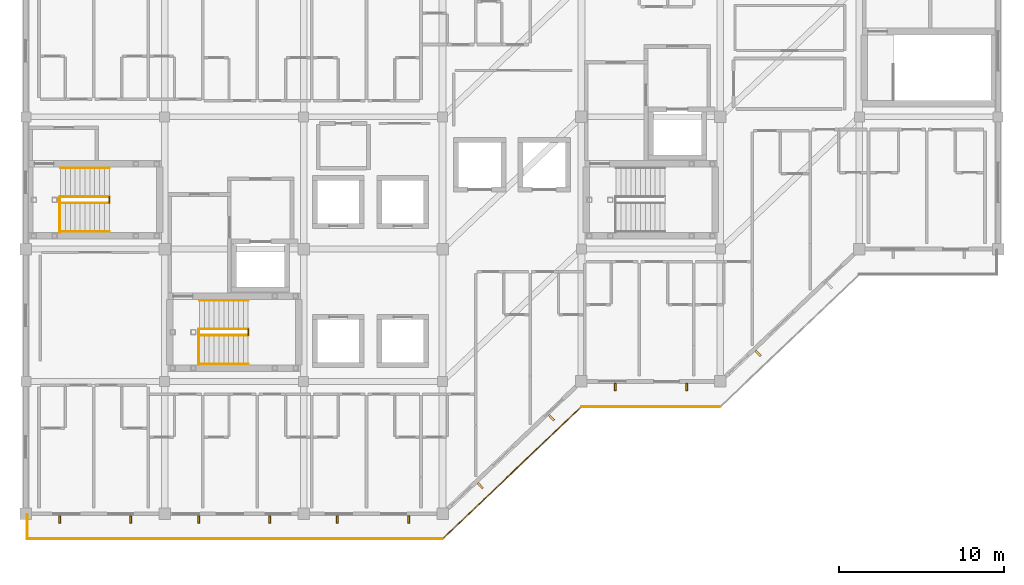
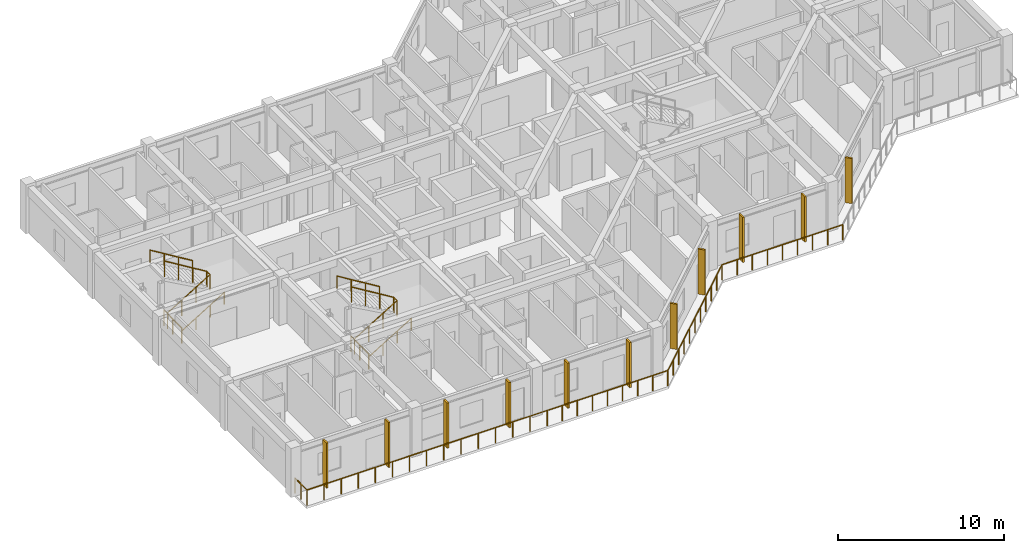
# One storey, part 14 of 15: 18 railings, 11 shading devices.
"""IFC4 building model written with IfcOpenShell, lengths in metres."""

from ifc_helpers import new_model, si_unit, direction, frame, origin, origin_2d, place, context, subcontext, project, spatial, rectangle, circle, extrude, material, layer, layer_set, type_object, element, save


model = new_model("IFC4")

# Units and contexts
model_context = context("Model", 3, precision=1e-05, world=origin(), true_north=direction((0.0, 1.0)))
body_context = subcontext(model_context, "Body", "Model", "MODEL_VIEW")
ifc_project = project(units=[si_unit("LENGTHUNIT", "METRE"), si_unit("AREAUNIT", "SQUARE_METRE"), si_unit("VOLUMEUNIT", "CUBIC_METRE"), si_unit("PLANEANGLEUNIT", "RADIAN"), si_unit("MASSUNIT", "GRAM", prefix="KILO")], contexts=[model_context])

# Site, building, storey
site_placement = place(None, origin())
site = spatial("IfcSite", under=ifc_project, at=site_placement, CompositionType="ELEMENT")
building_placement = place(site_placement, origin())
building = spatial("IfcBuilding", under=site, at=building_placement, Name="Naruveol Harbour Congress Hotel", CompositionType="ELEMENT")
storey_placement = place(building_placement, frame((0.0, 0.0, 32.39990234375)))
storey = spatial("IfcBuildingStorey", under=building, at=storey_placement, Name="L07", CompositionType="ELEMENT", Elevation=32.39990234375)

# Railings
ifc_material_1 = material(Name="Tempered Laminated Safety Glass & Stainless Steel", Category="steel")
ifc_layer_1 = layer(ifc_material_1, 0.06005859375)
ifc_layer_set_1 = layer_set([ifc_layer_1], Name="Tempered Laminated Safety Glass & Stainless Steel")
railing_type_1 = type_object("IfcRailingType", Name="LAMINATED GLASS TERRACE BALUSTRADE 1150", PredefinedType="BALUSTRADE", material=ifc_layer_set_1)
railing_1_placement = place(storey_placement, frame((117.679931640625, -0.06005859375, 0.0)))
element("IfcRailing", 1, at=railing_1_placement, inside=storey, type_object=railing_type_1, Name="L07 Harbour balcony balustrade #100", PredefinedType="BALUSTRADE", context=body_context, shape_type="SweptSolid", body=[
    extrude(circle(Radius=0.02392578125, at=origin_2d()), frame((0.0, 0.0, 1.1259765625), z_axis=(0.0, -1.0, 0.0), x_axis=(1.0, 0.0, 0.0)), (0.0, 0.0, 1.0), 1.4599609375),
    extrude(circle(Radius=0.02099609375, at=origin_2d()), origin(), (0.0, 0.0, 1.0), 1.101806640625),
    extrude(circle(Radius=0.02099609375, at=origin_2d()), frame((0.0, -0.72998046875, 0.0)), (0.0, 0.0, 1.0), 1.101806640625),
    extrude(circle(Radius=0.02099609375, at=origin_2d()), frame((0.0, -1.4599609375, 0.0)), (0.0, 0.0, 1.0), 1.101806640625),
])
railing_2_placement = place(storey_placement, frame((117.679931640625, -1.52001953125, 0.0)))
element("IfcRailing", 2, at=railing_2_placement, inside=storey, type_object=railing_type_1, Name="L07 Harbour balcony balustrade #101", PredefinedType="BALUSTRADE", context=body_context, shape_type="SweptSolid", body=[
    extrude(circle(Radius=0.02392578125, at=origin_2d()), frame((0.0, 0.0, 1.1259765625), z_axis=(1.0, 0.0, 0.0), x_axis=(0.0, 1.0, 0.0)), (0.0, 0.0, 1.0), 8.320068359375),
    extrude(circle(Radius=0.02099609375, at=origin_2d()), origin(), (0.0, 0.0, 1.0), 1.101806640625),
    extrude(circle(Radius=0.02099609375, at=origin_2d()), frame((1.1884765625, 0.0, 0.0)), (0.0, 0.0, 1.0), 1.101806640625),
    extrude(circle(Radius=0.02099609375, at=origin_2d()), frame((2.377197265625, 0.0, 0.0)), (0.0, 0.0, 1.0), 1.101806640625),
    extrude(circle(Radius=0.02099609375, at=origin_2d()), frame((3.565673828125, 0.0, 0.0)), (0.0, 0.0, 1.0), 1.101806640625),
    extrude(circle(Radius=0.02099609375, at=origin_2d()), frame((4.75439453125, 0.0, 0.0)), (0.0, 0.0, 1.0), 1.101806640625),
    extrude(circle(Radius=0.02099609375, at=origin_2d()), frame((5.94287109375, 0.0, 0.0)), (0.0, 0.0, 1.0), 1.101806640625),
    extrude(circle(Radius=0.02099609375, at=origin_2d()), frame((7.131591796875, 0.0, 0.0)), (0.0, 0.0, 1.0), 1.101806640625),
    extrude(circle(Radius=0.02099609375, at=origin_2d()), frame((8.320068359375, 0.0, 0.0)), (0.0, 0.0, 1.0), 1.101806640625),
])
railing_3_placement = place(storey_placement, frame((126.0, -1.52001953125, 0.0)))
element("IfcRailing", 3, at=railing_3_placement, inside=storey, type_object=railing_type_1, Name="L07 Harbour balcony balustrade #102", PredefinedType="BALUSTRADE", context=body_context, shape_type="SweptSolid", body=[
    extrude(circle(Radius=0.02392578125, at=origin_2d()), frame((0.0, 0.0, 1.1259765625), z_axis=(1.0, 0.0, 0.0), x_axis=(0.0, 1.0, 0.0)), (0.0, 0.0, 1.0), 8.39990234375),
    extrude(circle(Radius=0.02099609375, at=origin_2d()), origin(), (0.0, 0.0, 1.0), 1.101806640625),
    extrude(circle(Radius=0.02099609375, at=origin_2d()), frame((1.199951171875, 0.0, 0.0)), (0.0, 0.0, 1.0), 1.101806640625),
    extrude(circle(Radius=0.02099609375, at=origin_2d()), frame((2.39990234375, 0.0, 0.0)), (0.0, 0.0, 1.0), 1.101806640625),
    extrude(circle(Radius=0.02099609375, at=origin_2d()), frame((3.599853515625, 0.0, 0.0)), (0.0, 0.0, 1.0), 1.101806640625),
    extrude(circle(Radius=0.02099609375, at=origin_2d()), frame((4.800048828125, 0.0, 0.0)), (0.0, 0.0, 1.0), 1.101806640625),
    extrude(circle(Radius=0.02099609375, at=origin_2d()), frame((6.0, 0.0, 0.0)), (0.0, 0.0, 1.0), 1.101806640625),
    extrude(circle(Radius=0.02099609375, at=origin_2d()), frame((7.199951171875, 0.0, 0.0)), (0.0, 0.0, 1.0), 1.101806640625),
    extrude(circle(Radius=0.02099609375, at=origin_2d()), frame((8.39990234375, 0.0, 0.0)), (0.0, 0.0, 1.0), 1.101806640625),
])
railing_4_placement = place(storey_placement, frame((134.39990234375, -1.52001953125, 0.0)))
element("IfcRailing", 4, at=railing_4_placement, inside=storey, type_object=railing_type_1, Name="L07 Harbour balcony balustrade #103", PredefinedType="BALUSTRADE", context=body_context, shape_type="SweptSolid", body=[
    extrude(circle(Radius=0.02392578125, at=origin_2d()), frame((0.0, 0.0, 1.1259765625), z_axis=(1.0, 0.0, 0.0), x_axis=(0.0, 1.0, 0.0)), (0.0, 0.0, 1.0), 8.400146484375),
    extrude(circle(Radius=0.02099609375, at=origin_2d()), origin(), (0.0, 0.0, 1.0), 1.101806640625),
    extrude(circle(Radius=0.02099609375, at=origin_2d()), frame((1.050048828125, 0.0, 0.0)), (0.0, 0.0, 1.0), 1.101806640625),
    extrude(circle(Radius=0.02099609375, at=origin_2d()), frame((2.10009765625, 0.0, 0.0)), (0.0, 0.0, 1.0), 1.101806640625),
    extrude(circle(Radius=0.02099609375, at=origin_2d()), frame((3.150146484375, 0.0, 0.0)), (0.0, 0.0, 1.0), 1.101806640625),
    extrude(circle(Radius=0.02099609375, at=origin_2d()), frame((4.2001953125, 0.0, 0.0)), (0.0, 0.0, 1.0), 1.101806640625),
    extrude(circle(Radius=0.02099609375, at=origin_2d()), frame((5.25, 0.0, 0.0)), (0.0, 0.0, 1.0), 1.101806640625),
    extrude(circle(Radius=0.02099609375, at=origin_2d()), frame((6.300048828125, 0.0, 0.0)), (0.0, 0.0, 1.0), 1.101806640625),
    extrude(circle(Radius=0.02099609375, at=origin_2d()), frame((7.35009765625, 0.0, 0.0)), (0.0, 0.0, 1.0), 1.101806640625),
    extrude(circle(Radius=0.02099609375, at=origin_2d()), frame((8.400146484375, 0.0, 0.0)), (0.0, 0.0, 1.0), 1.101806640625),
])
railing_5_placement = place(storey_placement, frame((142.800048828125, -1.52001953125, 0.0)))
element("IfcRailing", 5, at=railing_5_placement, inside=storey, type_object=railing_type_1, Name="L07 Harbour balcony balustrade #104", PredefinedType="BALUSTRADE", context=body_context, shape_type="SweptSolid", body=[
    extrude(circle(Radius=0.02392578125, at=origin_2d()), frame((0.0, 0.0, 1.1259765625), z_axis=(0.724133926887, 0.689659376744, 0.0), x_axis=(-0.689659376744, 0.724133926887, 0.0)), (0.0, 0.0, 1.0), 11.599853515625),
    extrude(circle(Radius=0.02099609375, at=origin_2d()), origin(), (0.0, 0.0, 1.0), 1.101806640625),
    extrude(circle(Radius=0.02099609375, at=origin_2d()), frame((0.840087890625, 0.800048828125, 0.0)), (0.0, 0.0, 1.0), 1.101806640625),
    extrude(circle(Radius=0.02099609375, at=origin_2d()), frame((1.679931640625, 1.60009765625, 0.0)), (0.0, 0.0, 1.0), 1.101806640625),
    extrude(circle(Radius=0.02099609375, at=origin_2d()), frame((2.52001953125, 2.39990234375, 0.0)), (0.0, 0.0, 1.0), 1.101806640625),
    extrude(circle(Radius=0.02099609375, at=origin_2d()), frame((3.35986328125, 3.199951171875, 0.0)), (0.0, 0.0, 1.0), 1.101806640625),
    extrude(circle(Radius=0.02099609375, at=origin_2d()), frame((4.199951171875, 4.0, 0.0)), (0.0, 0.0, 1.0), 1.101806640625),
    extrude(circle(Radius=0.02099609375, at=origin_2d()), frame((5.0400390625, 4.800048828125, 0.0)), (0.0, 0.0, 1.0), 1.101806640625),
    extrude(circle(Radius=0.02099609375, at=origin_2d()), frame((5.8798828125, 5.60009765625, 0.0)), (0.0, 0.0, 1.0), 1.101806640625),
    extrude(circle(Radius=0.02099609375, at=origin_2d()), frame((6.719970703125, 6.39990234375, 0.0)), (0.0, 0.0, 1.0), 1.101806640625),
    extrude(circle(Radius=0.02099609375, at=origin_2d()), frame((7.559814453125, 7.199951171875, 0.0)), (0.0, 0.0, 1.0), 1.101806640625),
    extrude(circle(Radius=0.02099609375, at=origin_2d()), frame((8.39990234375, 8.0, 0.0)), (0.0, 0.0, 1.0), 1.101806640625),
])
railing_6_placement = place(storey_placement, frame((151.199951171875, 6.47998046875, 0.0)))
element("IfcRailing", 6, at=railing_6_placement, inside=storey, type_object=railing_type_1, Name="L07 Harbour balcony balustrade #105", PredefinedType="BALUSTRADE", context=body_context, shape_type="SweptSolid", body=[
    extrude(circle(Radius=0.02392578125, at=origin_2d()), frame((0.0, 0.0, 1.1259765625), z_axis=(1.0, 0.0, 0.0), x_axis=(0.0, 1.0, 0.0)), (0.0, 0.0, 1.0), 8.400146484375),
    extrude(circle(Radius=0.02099609375, at=origin_2d()), origin(), (0.0, 0.0, 1.0), 1.101806640625),
    extrude(circle(Radius=0.02099609375, at=origin_2d()), frame((1.050048828125, 0.0, 0.0)), (0.0, 0.0, 1.0), 1.101806640625),
    extrude(circle(Radius=0.02099609375, at=origin_2d()), frame((2.10009765625, 0.0, 0.0)), (0.0, 0.0, 1.0), 1.101806640625),
    extrude(circle(Radius=0.02099609375, at=origin_2d()), frame((3.150146484375, 0.0, 0.0)), (0.0, 0.0, 1.0), 1.101806640625),
    extrude(circle(Radius=0.02099609375, at=origin_2d()), frame((4.2001953125, 0.0, 0.0)), (0.0, 0.0, 1.0), 1.101806640625),
    extrude(circle(Radius=0.02099609375, at=origin_2d()), frame((5.25, 0.0, 0.0)), (0.0, 0.0, 1.0), 1.101806640625),
    extrude(circle(Radius=0.02099609375, at=origin_2d()), frame((6.300048828125, 0.0, 0.0)), (0.0, 0.0, 1.0), 1.101806640625),
    extrude(circle(Radius=0.02099609375, at=origin_2d()), frame((7.35009765625, 0.0, 0.0)), (0.0, 0.0, 1.0), 1.101806640625),
    extrude(circle(Radius=0.02099609375, at=origin_2d()), frame((8.400146484375, 0.0, 0.0)), (0.0, 0.0, 1.0), 1.101806640625),
])

# Shading devices
ifc_material_2 = material(Name="Precast concrete C40/50", Category="concrete")
shading_device_type = type_object("IfcShadingDeviceType", Name="PRECAST VERTICAL BRISE SOLEIL FIN 120X450", PredefinedType="JALOUSIE", material=ifc_material_2)
for number, where, z_axis, x_axis, name in (
    (7, (123.9560546875, -0.340087890625, 0.0), (0.0, 0.0, 1.0), (-1.0, 0.0, 0.0), "Precast brise-soleil fin BS-V450 #62"),
    (8, (119.64404296875, -0.340087890625, 0.0), (0.0, 0.0, 1.0), (-1.0, 0.0, 0.0), "Precast brise-soleil fin BS-V450 #63"),
    (9, (132.35595703125, -0.340087890625, 0.0), (0.0, 0.0, 1.0), (-1.0, 0.0, 0.0), "Precast brise-soleil fin BS-V450 #64"),
    (10, (128.0439453125, -0.340087890625, 0.0), (0.0, 0.0, 1.0), (-1.0, 0.0, 0.0), "Precast brise-soleil fin BS-V450 #65"),
    (11, (140.756103515625, -0.340087890625, 0.0), (0.0, 0.0, 1.0), (-1.0, 0.0, 0.0), "Precast brise-soleil fin BS-V450 #66"),
    (12, (136.444091796875, -0.340087890625, 0.0), (0.0, 0.0, 1.0), (-1.0, 0.0, 0.0), "Precast brise-soleil fin BS-V450 #67"),
    (13, (149.389892578125, 5.806884765625, 0.0), (0.0, 0.0, 1.0), (-0.724171861437, -0.689619543736, 0.0), "Precast brise-soleil fin BS-V450 #68"),
    (14, (145.077880859375, 1.700927734375, 0.0), (0.0, 0.0, 1.0), (-0.724171861437, -0.689619543736, 0.0), "Precast brise-soleil fin BS-V450 #69"),
    (15, (157.555908203125, 7.659912109375, 0.0), (0.0, 0.0, 1.0), (-1.0, 0.0, 0.0), "Precast brise-soleil fin BS-V450 #70"),
    (16, (153.243896484375, 7.659912109375, 0.0), (0.0, 0.0, 1.0), (-1.0, 0.0, 0.0), "Precast brise-soleil fin BS-V450 #71"),
    (17, (161.8779296875, 9.700927734375, 0.0), (0.0, 0.0, 1.0), (-0.724171861437, -0.689619543736, 0.0), "Precast brise-soleil fin BS-V450 #73"),
):
    element("IfcShadingDevice", number, at=place(storey_placement, frame(where, z_axis=z_axis, x_axis=x_axis)), inside=storey, type_object=shading_device_type, Name=name, PredefinedType="JALOUSIE", context=body_context, shape_type="SweptSolid", body=[
        extrude(rectangle(XDim=0.1201171875, YDim=0.449951171875, at=origin_2d()), origin(), (0.0, 0.0, 1.0), 3.320068359375),
    ])

# Railings
ifc_material_3 = material(Name="Stainless Steel 304", Category="steel")
ifc_layer_2 = layer(ifc_material_3, 0.0419921875)
ifc_layer_set_2 = layer_set([ifc_layer_2], Name="Stainless Steel 304")
railing_type_2 = type_object("IfcRailingType", Name="STAIR WALL MOUNTED HANDRAIL 900", PredefinedType="HANDRAIL", material=ifc_layer_set_2)
railing_7_placement = place(storey_placement, frame((128.10009765625, 9.06005859375, 0.0)))
element("IfcRailing", 18, at=railing_7_placement, inside=storey, type_object=railing_type_2, Name="Stair ST1 L07 lower wall handrail", PredefinedType="HANDRAIL", context=body_context, shape_type="SweptSolid", body=[
    extrude(circle(Radius=0.02392578125, at=origin_2d()), frame((0.0, 0.0, 0.8759765625), z_axis=(0.85362916449, 0.0, 0.520881224016), x_axis=(0.0, 1.0, 0.0)), (0.0, 0.0, 1.0), 3.455810546875),
    extrude(circle(Radius=0.02099609375, at=origin_2d()), origin(), (0.0, 0.0, 1.0), 0.851806640625),
    extrude(circle(Radius=0.02099609375, at=origin_2d()), frame((0.9833984375, 0.0, 0.60009765625)), (0.0, 0.0, 1.0), 0.851806640625),
    extrude(circle(Radius=0.02099609375, at=origin_2d()), frame((1.966552734375, 0.0, 1.199951171875)), (0.0, 0.0, 1.0), 0.851806640625),
    extrude(circle(Radius=0.02099609375, at=origin_2d()), frame((2.949951171875, 0.0, 1.800048828125)), (0.0, 0.0, 1.0), 0.851806640625),
])
railing_8_placement = place(storey_placement, frame((131.050048828125, 12.89990234375, 1.800048828125)))
element("IfcRailing", 19, at=railing_8_placement, inside=storey, type_object=railing_type_2, Name="Stair ST1 L07 upper wall handrail", PredefinedType="HANDRAIL", context=body_context, shape_type="SweptSolid", body=[
    extrude(circle(Radius=0.02392578125, at=origin_2d()), frame((0.0, 0.0, 0.8759765625), z_axis=(-0.85362916449, 0.0, 0.520881224016), x_axis=(0.0, -1.0, 0.0)), (0.0, 0.0, 1.0), 3.455810546875),
    extrude(circle(Radius=0.02099609375, at=origin_2d()), origin(), (0.0, 0.0, 1.0), 0.851806640625),
    extrude(circle(Radius=0.02099609375, at=origin_2d()), frame((-0.9833984375, 0.0, 0.60009765625)), (0.0, 0.0, 1.0), 0.851806640625),
    extrude(circle(Radius=0.02099609375, at=origin_2d()), frame((-1.966552734375, 0.0, 1.199951171875)), (0.0, 0.0, 1.0), 0.851806640625),
    extrude(circle(Radius=0.02099609375, at=origin_2d()), frame((-2.949951171875, 0.0, 1.800048828125)), (0.0, 0.0, 1.0), 0.851806640625),
])
railing_9_placement = place(storey_placement, frame((119.699951171875, 17.06005859375, 0.0)))
element("IfcRailing", 20, at=railing_9_placement, inside=storey, type_object=railing_type_2, Name="Stair ST3 L07 lower wall handrail", PredefinedType="HANDRAIL", context=body_context, shape_type="SweptSolid", body=[
    extrude(circle(Radius=0.02392578125, at=origin_2d()), frame((0.0, 0.0, 0.8759765625), z_axis=(0.85362916449, 0.0, 0.520881224016), x_axis=(0.0, 1.0, 0.0)), (0.0, 0.0, 1.0), 3.455810546875),
    extrude(circle(Radius=0.02099609375, at=origin_2d()), origin(), (0.0, 0.0, 1.0), 0.851806640625),
    extrude(circle(Radius=0.02099609375, at=origin_2d()), frame((0.9833984375, 0.0, 0.60009765625)), (0.0, 0.0, 1.0), 0.851806640625),
    extrude(circle(Radius=0.02099609375, at=origin_2d()), frame((1.966552734375, 0.0, 1.199951171875)), (0.0, 0.0, 1.0), 0.851806640625),
    extrude(circle(Radius=0.02099609375, at=origin_2d()), frame((2.949951171875, 0.0, 1.800048828125)), (0.0, 0.0, 1.0), 0.851806640625),
])
railing_10_placement = place(storey_placement, frame((122.64990234375, 20.89990234375, 1.800048828125)))
element("IfcRailing", 21, at=railing_10_placement, inside=storey, type_object=railing_type_2, Name="Stair ST3 L07 upper wall handrail", PredefinedType="HANDRAIL", context=body_context, shape_type="SweptSolid", body=[
    extrude(circle(Radius=0.02392578125, at=origin_2d()), frame((0.0, 0.0, 0.8759765625), z_axis=(-0.85362916449, 0.0, 0.520881224016), x_axis=(0.0, -1.0, 0.0)), (0.0, 0.0, 1.0), 3.455810546875),
    extrude(circle(Radius=0.02099609375, at=origin_2d()), origin(), (0.0, 0.0, 1.0), 0.851806640625),
    extrude(circle(Radius=0.02099609375, at=origin_2d()), frame((-0.9833984375, 0.0, 0.60009765625)), (0.0, 0.0, 1.0), 0.851806640625),
    extrude(circle(Radius=0.02099609375, at=origin_2d()), frame((-1.966552734375, 0.0, 1.199951171875)), (0.0, 0.0, 1.0), 0.851806640625),
    extrude(circle(Radius=0.02099609375, at=origin_2d()), frame((-2.949951171875, 0.0, 1.800048828125)), (0.0, 0.0, 1.0), 0.851806640625),
])
ifc_material_4 = material(Name="Steel SN490", Category="steel")
ifc_layer_3 = layer(ifc_material_4, 0.044921875)
ifc_layer_set_3 = layer_set([ifc_layer_3], Name="Steel SN490")
railing_type_3 = type_object("IfcRailingType", Name="STAIRWELL STEEL GUARDRAIL 1150", PredefinedType="GUARDRAIL", material=ifc_layer_set_3)
railing_11_placement = place(storey_placement, frame((128.10009765625, 10.7900390625, 0.0)))
element("IfcRailing", 22, at=railing_11_placement, inside=storey, type_object=railing_type_3, Name="Stair ST1 L07 lower well guard", PredefinedType="GUARDRAIL", context=body_context, shape_type="SweptSolid", body=[
    extrude(circle(Radius=0.02392578125, at=origin_2d()), frame((0.0, 0.0, 1.1259765625), z_axis=(0.85362916449, 0.0, 0.520881224016), x_axis=(0.0, 1.0, 0.0)), (0.0, 0.0, 1.0), 3.455810546875),
    extrude(circle(Radius=0.02099609375, at=origin_2d()), origin(), (0.0, 0.0, 1.0), 1.101806640625),
    extrude(circle(Radius=0.02099609375, at=origin_2d()), frame((0.9833984375, 0.0, 0.60009765625)), (0.0, 0.0, 1.0), 1.101806640625),
    extrude(circle(Radius=0.02099609375, at=origin_2d()), frame((1.966552734375, 0.0, 1.199951171875)), (0.0, 0.0, 1.0), 1.101806640625),
    extrude(circle(Radius=0.02099609375, at=origin_2d()), frame((2.949951171875, 0.0, 1.800048828125)), (0.0, 0.0, 1.0), 1.101806640625),
])
railing_12_placement = place(storey_placement, frame((131.050048828125, 10.7900390625, 1.800048828125)))
element("IfcRailing", 23, at=railing_12_placement, inside=storey, type_object=railing_type_3, Name="Stair ST1 L07 half-landing slot guard", PredefinedType="GUARDRAIL", context=body_context, shape_type="SweptSolid", body=[
    extrude(circle(Radius=0.02392578125, at=origin_2d()), frame((0.0, 0.0, 1.1259765625), z_axis=(0.0, 1.0, 0.0), x_axis=(-1.0, 0.0, 0.0)), (0.0, 0.0, 1.0), 0.3798828125),
    extrude(circle(Radius=0.02099609375, at=origin_2d()), origin(), (0.0, 0.0, 1.0), 1.101806640625),
    extrude(circle(Radius=0.02099609375, at=origin_2d()), frame((0.0, 0.3798828125, 0.0)), (0.0, 0.0, 1.0), 1.101806640625),
])
railing_13_placement = place(storey_placement, frame((131.050048828125, 11.169921875, 1.800048828125)))
element("IfcRailing", 24, at=railing_13_placement, inside=storey, type_object=railing_type_3, Name="Stair ST1 L07 upper well guard", PredefinedType="GUARDRAIL", context=body_context, shape_type="SweptSolid", body=[
    extrude(circle(Radius=0.02392578125, at=origin_2d()), frame((0.0, 0.0, 1.1259765625), z_axis=(-0.85362916449, 0.0, 0.520881224016), x_axis=(0.0, -1.0, 0.0)), (0.0, 0.0, 1.0), 3.455810546875),
    extrude(circle(Radius=0.02099609375, at=origin_2d()), origin(), (0.0, 0.0, 1.0), 1.101806640625),
    extrude(circle(Radius=0.02099609375, at=origin_2d()), frame((-0.9833984375, 0.0, 0.60009765625)), (0.0, 0.0, 1.0), 1.101806640625),
    extrude(circle(Radius=0.02099609375, at=origin_2d()), frame((-1.966552734375, 0.0, 1.199951171875)), (0.0, 0.0, 1.0), 1.101806640625),
    extrude(circle(Radius=0.02099609375, at=origin_2d()), frame((-2.949951171875, 0.0, 1.800048828125)), (0.0, 0.0, 1.0), 1.101806640625),
])
railing_14_placement = place(storey_placement, frame((128.06005859375, 9.02001953125, 0.0)))
element("IfcRailing", 25, at=railing_14_placement, inside=storey, type_object=railing_type_3, Name="Stair ST1 L07 landing well guard", PredefinedType="GUARDRAIL", context=body_context, shape_type="SweptSolid", body=[
    extrude(circle(Radius=0.02392578125, at=origin_2d()), frame((0.0, 0.0, 1.1259765625), z_axis=(0.0, 1.0, 0.0), x_axis=(-1.0, 0.0, 0.0)), (0.0, 0.0, 1.0), 2.14990234375),
    extrude(circle(Radius=0.02099609375, at=origin_2d()), origin(), (0.0, 0.0, 1.0), 1.101806640625),
    extrude(circle(Radius=0.02099609375, at=origin_2d()), frame((0.0, 1.074951171875, 0.0)), (0.0, 0.0, 1.0), 1.101806640625),
    extrude(circle(Radius=0.02099609375, at=origin_2d()), frame((0.0, 2.14990234375, 0.0)), (0.0, 0.0, 1.0), 1.101806640625),
])
railing_15_placement = place(storey_placement, frame((119.699951171875, 18.7900390625, 0.0)))
element("IfcRailing", 26, at=railing_15_placement, inside=storey, type_object=railing_type_3, Name="Stair ST3 L07 lower well guard", PredefinedType="GUARDRAIL", context=body_context, shape_type="SweptSolid", body=[
    extrude(circle(Radius=0.02392578125, at=origin_2d()), frame((0.0, 0.0, 1.1259765625), z_axis=(0.85362916449, 0.0, 0.520881224016), x_axis=(0.0, 1.0, 0.0)), (0.0, 0.0, 1.0), 3.455810546875),
    extrude(circle(Radius=0.02099609375, at=origin_2d()), origin(), (0.0, 0.0, 1.0), 1.101806640625),
    extrude(circle(Radius=0.02099609375, at=origin_2d()), frame((0.9833984375, 0.0, 0.60009765625)), (0.0, 0.0, 1.0), 1.101806640625),
    extrude(circle(Radius=0.02099609375, at=origin_2d()), frame((1.966552734375, 0.0, 1.199951171875)), (0.0, 0.0, 1.0), 1.101806640625),
    extrude(circle(Radius=0.02099609375, at=origin_2d()), frame((2.949951171875, 0.0, 1.800048828125)), (0.0, 0.0, 1.0), 1.101806640625),
])
railing_16_placement = place(storey_placement, frame((122.64990234375, 18.7900390625, 1.800048828125)))
element("IfcRailing", 27, at=railing_16_placement, inside=storey, type_object=railing_type_3, Name="Stair ST3 L07 half-landing slot guard", PredefinedType="GUARDRAIL", context=body_context, shape_type="SweptSolid", body=[
    extrude(circle(Radius=0.02392578125, at=origin_2d()), frame((0.0, 0.0, 1.1259765625), z_axis=(0.0, 1.0, 0.0), x_axis=(-1.0, 0.0, 0.0)), (0.0, 0.0, 1.0), 0.3798828125),
    extrude(circle(Radius=0.02099609375, at=origin_2d()), origin(), (0.0, 0.0, 1.0), 1.101806640625),
    extrude(circle(Radius=0.02099609375, at=origin_2d()), frame((0.0, 0.3798828125, 0.0)), (0.0, 0.0, 1.0), 1.101806640625),
])
railing_17_placement = place(storey_placement, frame((122.64990234375, 19.169921875, 1.800048828125)))
element("IfcRailing", 28, at=railing_17_placement, inside=storey, type_object=railing_type_3, Name="Stair ST3 L07 upper well guard", PredefinedType="GUARDRAIL", context=body_context, shape_type="SweptSolid", body=[
    extrude(circle(Radius=0.02392578125, at=origin_2d()), frame((0.0, 0.0, 1.1259765625), z_axis=(-0.85362916449, 0.0, 0.520881224016), x_axis=(0.0, -1.0, 0.0)), (0.0, 0.0, 1.0), 3.455810546875),
    extrude(circle(Radius=0.02099609375, at=origin_2d()), origin(), (0.0, 0.0, 1.0), 1.101806640625),
    extrude(circle(Radius=0.02099609375, at=origin_2d()), frame((-0.9833984375, 0.0, 0.60009765625)), (0.0, 0.0, 1.0), 1.101806640625),
    extrude(circle(Radius=0.02099609375, at=origin_2d()), frame((-1.966552734375, 0.0, 1.199951171875)), (0.0, 0.0, 1.0), 1.101806640625),
    extrude(circle(Radius=0.02099609375, at=origin_2d()), frame((-2.949951171875, 0.0, 1.800048828125)), (0.0, 0.0, 1.0), 1.101806640625),
])
railing_18_placement = place(storey_placement, frame((119.659912109375, 17.02001953125, 0.0)))
element("IfcRailing", 29, at=railing_18_placement, inside=storey, type_object=railing_type_3, Name="Stair ST3 L07 landing well guard", PredefinedType="GUARDRAIL", context=body_context, shape_type="SweptSolid", body=[
    extrude(circle(Radius=0.02392578125, at=origin_2d()), frame((0.0, 0.0, 1.1259765625), z_axis=(0.0, 1.0, 0.0), x_axis=(-1.0, 0.0, 0.0)), (0.0, 0.0, 1.0), 2.14990234375),
    extrude(circle(Radius=0.02099609375, at=origin_2d()), origin(), (0.0, 0.0, 1.0), 1.101806640625),
    extrude(circle(Radius=0.02099609375, at=origin_2d()), frame((0.0, 1.074951171875, 0.0)), (0.0, 0.0, 1.0), 1.101806640625),
    extrude(circle(Radius=0.02099609375, at=origin_2d()), frame((0.0, 2.14990234375, 0.0)), (0.0, 0.0, 1.0), 1.101806640625),
])

save(model, "model.ifc")
